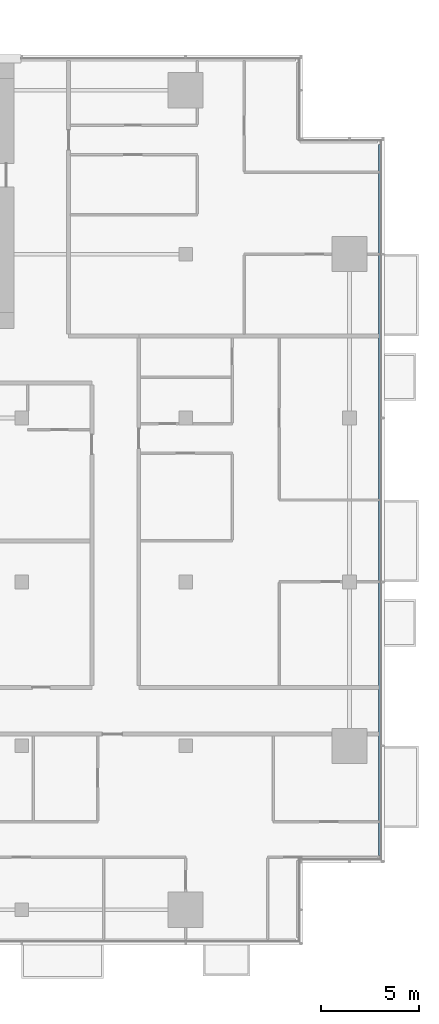
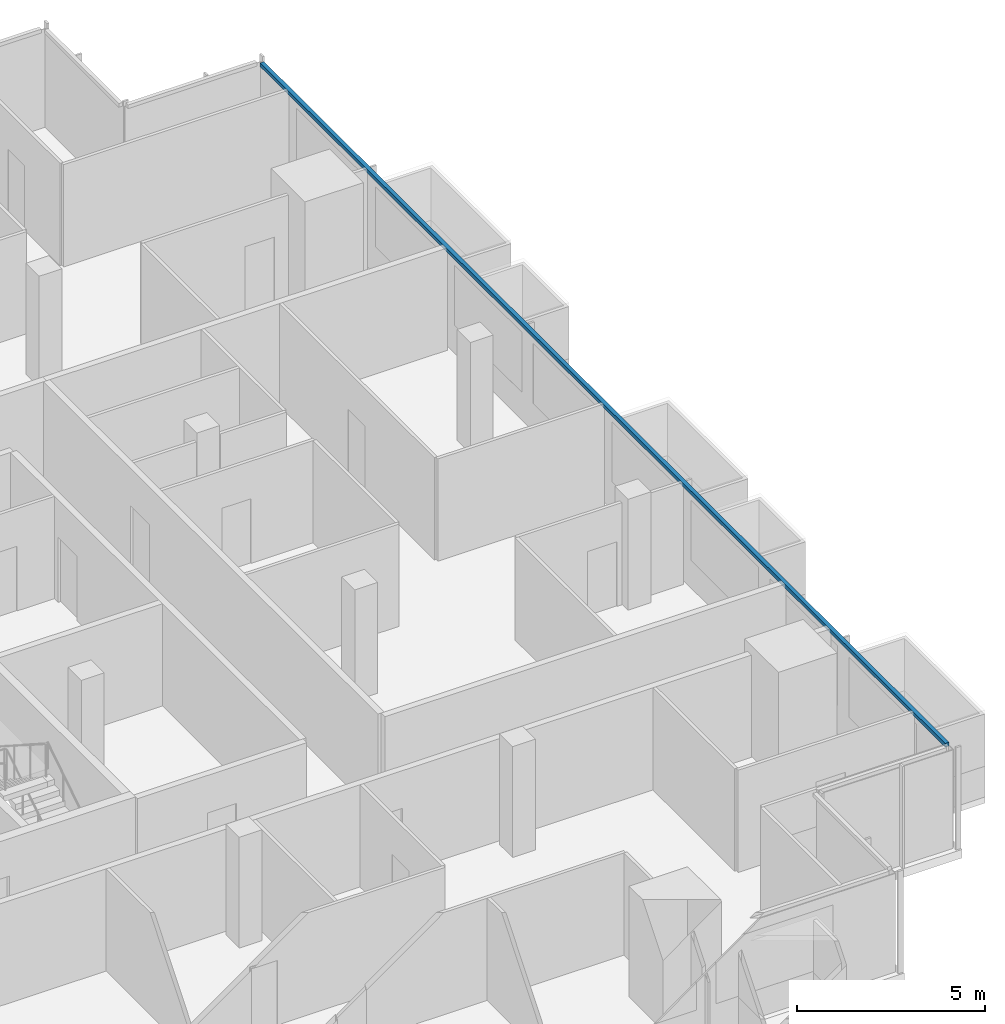
# One storey, part 12 of 28: 1 member, 1 element without a shape of its own.
"""IFC4 building model written with IfcOpenShell, lengths in metres."""

from ifc_helpers import new_model, si_unit, direction, frame, origin, origin_2d, place, context, subcontext, project, spatial, rectangle, extrude, material, material_profile, profile_set, type_object, element, aggregate, save


model = new_model("IFC4")

# Units and contexts
model_context = context("Model", 3, precision=1e-05, world=origin(), true_north=direction((0.0, 1.0)))
body_context = subcontext(model_context, "Body", "Model", "MODEL_VIEW")
ifc_project = project(units=[si_unit("LENGTHUNIT", "METRE"), si_unit("AREAUNIT", "SQUARE_METRE"), si_unit("VOLUMEUNIT", "CUBIC_METRE"), si_unit("PLANEANGLEUNIT", "RADIAN"), si_unit("MASSUNIT", "GRAM", prefix="KILO")], contexts=[model_context])

# Site, building, storey
site_placement = place(None, origin())
site = spatial("IfcSite", under=ifc_project, at=site_placement, CompositionType="ELEMENT")
building_placement = place(site_placement, origin())
building = spatial("IfcBuilding", under=site, at=building_placement, Name="Saffron Gate Tower", CompositionType="ELEMENT")
storey_placement = place(building_placement, frame((0.0, 0.0, 151.050048828125)))
storey = spatial("IfcBuildingStorey", under=building, at=storey_placement, Name="L36", CompositionType="ELEMENT", Elevation=151.050048828125)

# Curtain wall, member
ifc_material = material(Name="Aluminium, bronze anodised", Category="aluminium")
curtain_wall_type = type_object("IfcCurtainWallType", Name="CWS2 curtain wall side facades", PredefinedType="NOTDEFINED", material=ifc_material)
curtain_wall_placement = place(storey_placement, origin())
curtain_wall = element("IfcCurtainWall", 1, at=curtain_wall_placement, inside=storey, type_object=curtain_wall_type, Name="CWS2 run 4", PredefinedType="NOTDEFINED")
ifc_material_profile = material_profile(ifc_material, rectangle(XDim=0.1201171875, YDim=0.1201171875, at=origin_2d()))
ifc_profile_set = profile_set([ifc_material_profile], Name="Aluminium, bronze anodised")
member_type = type_object("IfcMemberType", Name="CWS2 head transom", PredefinedType="USERDEFINED", material=ifc_profile_set)
member_placement = place(storey_placement, frame((126.951904296875, 34.568115234375, 3.260009765625), z_axis=(0.0, 1.0, 0.0), x_axis=(-1.0, 0.0, 0.0)))
member = element("IfcMember", 2, at=member_placement, type_object=member_type, Name="CWS2 head transom", ObjectType="TRANSOM", PredefinedType="USERDEFINED", context=body_context, shape_type="SweptSolid", body=[
    extrude(rectangle(XDim=0.1201171875, YDim=0.1201171875, at=origin_2d()), origin(), (0.0, 0.0, 1.0), 36.4638671875),
])
aggregate(curtain_wall, [member])

save(model, "model.ifc")
